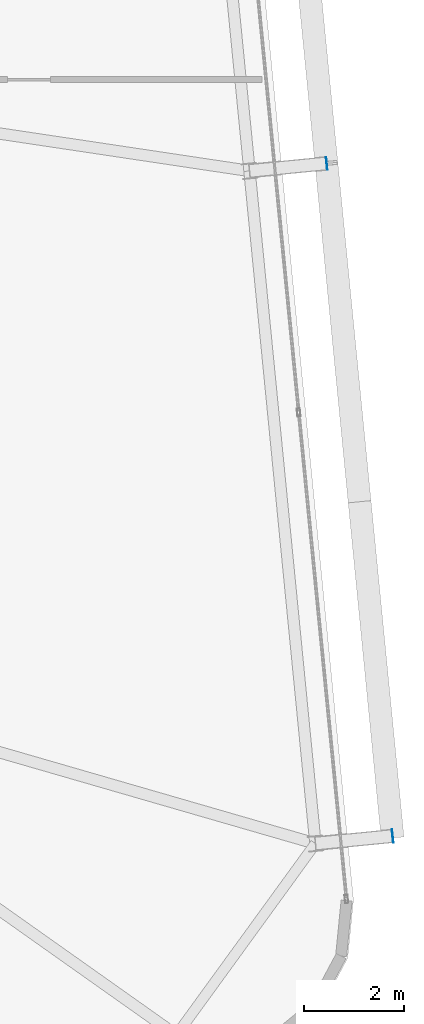
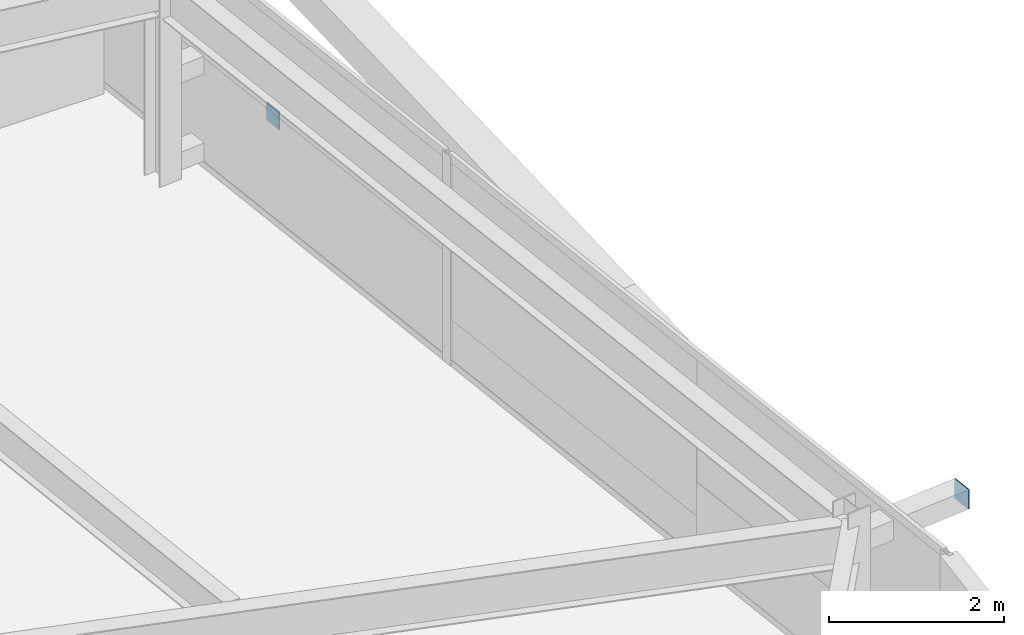
# One storey, part 37 of 47: 2 plates.
"""IFC4 building model written with IfcOpenShell, lengths in metres."""

from ifc_helpers import new_model, si_unit, direction, frame, origin, origin_2d, place, context, subcontext, project, spatial, rectangle, extrude, source, transform, mapped, material, layer, layer_set, type_object, element, save


model = new_model("IFC4")

# Units and contexts
model_context = context("Model", 3, precision=1e-05, world=origin(), true_north=direction((0.0, 1.0)))
body_context = subcontext(model_context, "Body", "Model", "MODEL_VIEW")
ifc_project = project(units=[si_unit("LENGTHUNIT", "METRE"), si_unit("AREAUNIT", "SQUARE_METRE"), si_unit("VOLUMEUNIT", "CUBIC_METRE"), si_unit("PLANEANGLEUNIT", "RADIAN"), si_unit("MASSUNIT", "GRAM", prefix="KILO")], contexts=[model_context])

# Site, building, storey
site_placement = place(None, origin())
site = spatial("IfcSite", under=ifc_project, at=site_placement, CompositionType="ELEMENT")
building_placement = place(site_placement, origin())
building = spatial("IfcBuilding", under=site, at=building_placement, Name="Taldren Reach Tower", CompositionType="ELEMENT")
storey_placement = place(building_placement, frame((0.0, 0.0, 106.050048828125)))
storey = spatial("IfcBuildingStorey", under=building, at=storey_placement, Name="L32", CompositionType="ELEMENT", Elevation=106.050048828125)

# Plates
ifc_material_1 = material(Name="Steel Gr 450 (C450L0)", Category="steel")
ifc_layer_1 = layer(ifc_material_1, 0.011962890625)
ifc_layer_set_1 = layer_set([ifc_layer_1], Name="Steel Gr 450 (C450L0)")
plate_type_1 = type_object("IfcPlateType", Name="PL-CAP-275", PredefinedType="SHEET", material=ifc_layer_set_1)
shared_shape_1 = source(origin(), body_context, "Body", "SweptSolid", [
    extrude(rectangle(XDim=0.011962890625, YDim=0.27490234375, at=origin_2d()), origin(), (0.0, 0.0, 1.0), 0.27490234375),
])
plate_1_placement = place(storey_placement, frame((67.440185546875, 8.635498046875, 2.512451171875), z_axis=(0.0, 0.0, 1.0), x_axis=(0.995227399982, 0.097582899759, 0.0)))
element("IfcPlate", 1, at=plate_1_placement, inside=storey, type_object=plate_type_1, Name="Tie strut end cap plate B2-E1 L32", PredefinedType="SHEET", context=body_context, shape_type="MappedRepresentation", body=[
    mapped(shared_shape_1, transform((0.0, 0.0, 0.0), scale=1.0)),
])
ifc_material_2 = material(Name="Steel Gr 350 (C350L0)", Category="steel")
ifc_layer_2 = layer(ifc_material_2, 0.011962890625)
ifc_layer_set_2 = layer_set([ifc_layer_2], Name="Steel Gr 350 (C350L0)")
plate_type_2 = type_object("IfcPlateType", Name="PL-CAP-250", PredefinedType="SHEET", material=ifc_layer_set_2)
shared_shape_2 = source(origin(), body_context, "Body", "SweptSolid", [
    extrude(rectangle(XDim=0.011962890625, YDim=0.25, at=origin_2d()), origin(), (0.0, 0.0, 1.0), 0.25),
])
plate_2_placement = place(storey_placement, frame((66.1181640625, 22.120849609375, 0.094970703125), z_axis=(0.0, 0.0, 1.0), x_axis=(0.995227399982, 0.097582899759, 0.0)))
element("IfcPlate", 2, at=plate_2_placement, inside=storey, type_object=plate_type_2, Name="Tie strut end cap plate B2-E2 L32", PredefinedType="SHEET", context=body_context, shape_type="MappedRepresentation", body=[
    mapped(shared_shape_2, transform((0.0, 0.0, 0.0), scale=1.0)),
])

save(model, "model.ifc")
